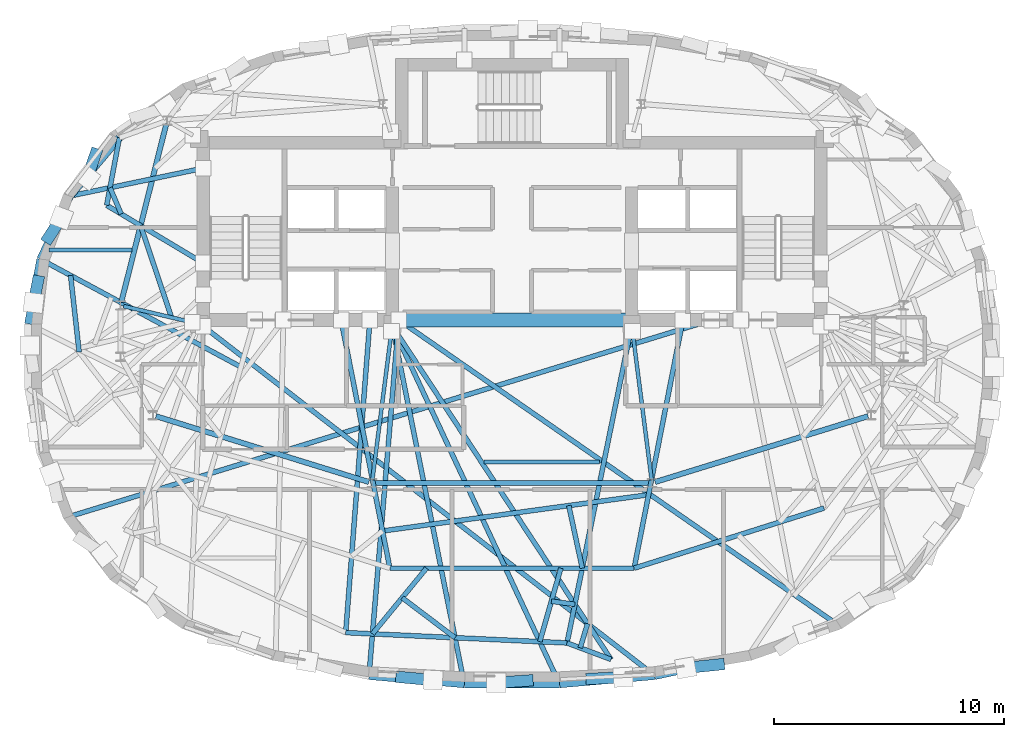
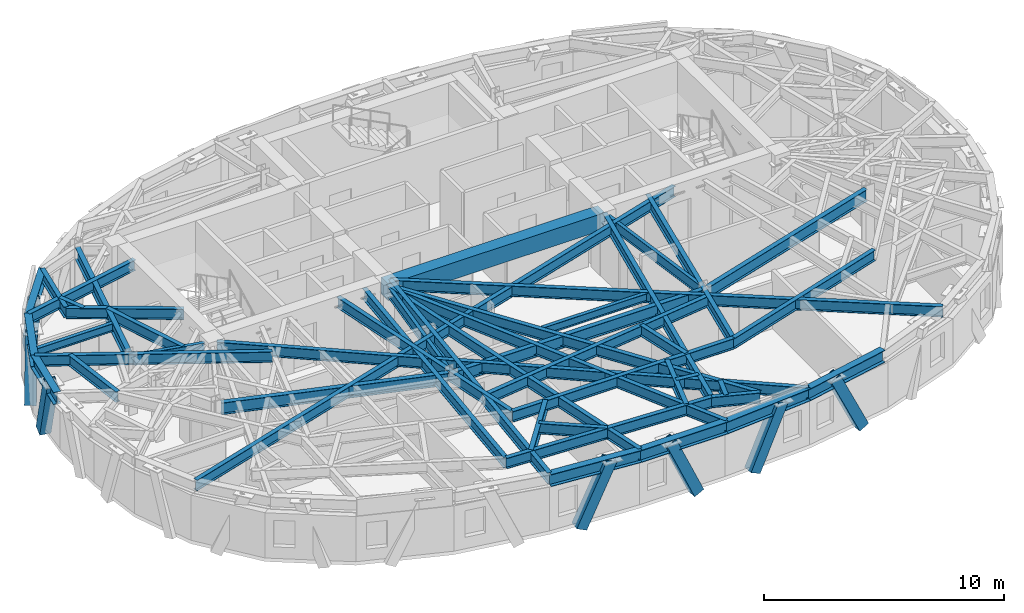
# One storey, part 2 of 12: 46 beams, 7 members.
"""IFC4 building model written with IfcOpenShell, lengths in metres."""

from ifc_helpers import new_model, si_unit, direction, frame, origin, origin_2d, place, context, subcontext, project, spatial, rectangle, hollow_rectangle, i_section, extrude, material, material_profile, profile_set, type_object, element, save


model = new_model("IFC4")

# Units and contexts
model_context = context("Model", 3, precision=1e-05, world=origin(), true_north=direction((0.0, 1.0)))
body_context = subcontext(model_context, "Body", "Model", "MODEL_VIEW")
ifc_project = project(units=[si_unit("LENGTHUNIT", "METRE"), si_unit("AREAUNIT", "SQUARE_METRE"), si_unit("VOLUMEUNIT", "CUBIC_METRE"), si_unit("PLANEANGLEUNIT", "RADIAN"), si_unit("MASSUNIT", "GRAM", prefix="KILO")], contexts=[model_context])

# Site, building, storey
site_placement = place(None, origin())
site = spatial("IfcSite", under=ifc_project, at=site_placement, CompositionType="ELEMENT")
building_placement = place(site_placement, origin())
building = spatial("IfcBuilding", under=site, at=building_placement, Name="Keldmark Tower", CompositionType="ELEMENT")
storey_placement = place(building_placement, frame((0.0, 0.0, 257.25)))
storey = spatial("IfcBuildingStorey", under=building, at=storey_placement, Name="L73", CompositionType="ELEMENT", Elevation=257.25)

# Beams
ifc_material_1 = material(Name="Steel ASTM A992 Grade 50", Category="steel")
ifc_material_profile_1 = material_profile(ifc_material_1, i_section(OverallWidth=0.177978515625, OverallDepth=0.403076171875, WebThickness=0.007568359375, FlangeThickness=0.010986328125, at=origin_2d()), Name="W16X36")
ifc_profile_set_1 = profile_set([ifc_material_profile_1], Name="Steel ASTM A992 Grade 50")
beam_type_1 = type_object("IfcBeamType", Name="Composite Floor Joist W16X36", PredefinedType="JOIST", material=ifc_profile_set_1)
beam_1_placement = place(storey_placement, frame((-1.2119140625, -4.60009765625, 2.728515625), z_axis=(1.0, 0.0, 0.0), x_axis=(0.0, 1.0, 0.0)))
element("IfcBeam", 1, at=beam_1_placement, inside=storey, type_object=beam_type_1, Name="L73 Composite Floor Joist J04", PredefinedType="JOIST", context=body_context, shape_type="SweptSolid", body=[
    extrude(i_section(OverallWidth=0.177978515625, OverallDepth=0.403076171875, WebThickness=0.007568359375, FlangeThickness=0.010986328125, at=origin_2d()), origin(), (0.0, 0.0, 1.0), 5.0078125),
])
beam_2_placement = place(storey_placement, frame((-20.143310546875, 4.6201171875, 2.728515625), z_axis=(1.0, 0.0, 0.0), x_axis=(0.0, 1.0, 0.0)))
element("IfcBeam", 2, at=beam_2_placement, inside=storey, type_object=beam_type_1, Name="L73 Composite Floor Joist J05", PredefinedType="JOIST", context=body_context, shape_type="SweptSolid", body=[
    extrude(i_section(OverallWidth=0.177978515625, OverallDepth=0.403076171875, WebThickness=0.007568359375, FlangeThickness=0.010986328125, at=origin_2d()), origin(), (0.0, 0.0, 1.0), 3.618408203125),
])
ifc_material_2 = material(Name="Concrete C50/60", Category="concrete")
ifc_material_profile_2 = material_profile(ifc_material_2, rectangle(XDim=0.60009765625, YDim=0.85009765625, at=origin_2d()), Name="RCB600X850")
ifc_profile_set_2 = profile_set([ifc_material_profile_2], Name="Concrete C50/60")
beam_type_2 = type_object("IfcBeamType", Name="Core Coupling Beam RCB600X850", PredefinedType="USERDEFINED", material=ifc_profile_set_2)
beam_3_placement = place(storey_placement, frame((-5.199951171875, 1.574951171875, 2.5048828125), z_axis=(1.0, 0.0, 0.0), x_axis=(0.0, 1.0, 0.0)))
element("IfcBeam", 3, at=beam_3_placement, inside=storey, type_object=beam_type_2, Name="L73 Central South Core Coupling Beam", ObjectType="COUPLING BEAM", PredefinedType="USERDEFINED", context=body_context, shape_type="SweptSolid", body=[
    extrude(rectangle(XDim=0.60009765625, YDim=0.85009765625, at=origin_2d()), origin(), (0.0, 0.0, 1.0), 10.39990234375),
])

# Members
ifc_material_3 = material(Name="Steel ASTM A572 Grade 50", Category="steel")
ifc_material_profile_3 = material_profile(ifc_material_3, hollow_rectangle(XDim=0.5, YDim=0.5, WallThickness=0.030029296875, at=origin_2d()), Name="BOX500X500X30")
ifc_profile_set_3 = profile_set([ifc_material_profile_3], Name="Steel ASTM A572 Grade 50")
member_type = type_object("IfcMemberType", Name="Diagrid Upper Brace BOX500X500X30", PredefinedType="BRACE", material=ifc_profile_set_3)
member_1_placement = place(storey_placement, frame((-18.10498046875, 8.800048828125, -0.260009765625), z_axis=(-0.108536723728, -0.315865852065, 0.942575484034), x_axis=(0.945725401367, -0.324966867864, 0.0)))
element("IfcMember", 4, at=member_1_placement, inside=storey, type_object=member_type, Name="L73 Perimeter Diagrid Brace 07A", PredefinedType="BRACE", context=body_context, shape_type="SweptSolid", body=[
    extrude(hollow_rectangle(XDim=0.5, YDim=0.5, WallThickness=0.030029296875, at=origin_2d()), origin(), (0.0, 0.0, 1.0), 3.257080078125),
])
member_2_placement = place(storey_placement, frame((-20.155029296875, 5.146484375, -0.260009765625), z_axis=(0.172667779922, 0.269699237399, 0.947337405111), x_axis=(-0.842185942645, 0.539187201269, 0.0)))
element("IfcMember", 5, at=member_2_placement, inside=storey, type_object=member_type, Name="L73 Perimeter Diagrid Brace 07B", PredefinedType="BRACE", context=body_context, shape_type="SweptSolid", body=[
    extrude(hollow_rectangle(XDim=0.5, YDim=0.5, WallThickness=0.030029296875, at=origin_2d()), origin(), (0.0, 0.0, 1.0), 3.24072265625),
])
member_3_placement = place(storey_placement, frame((-20.613525390625, 3.2666015625, -0.260009765625), z_axis=(-0.057756132791, -0.292954891684, 0.954380249462), x_axis=(0.981114667834, -0.193427010938, 0.0)))
element("IfcMember", 6, at=member_3_placement, inside=storey, type_object=member_type, Name="L73 Perimeter Diagrid Brace 08A", PredefinedType="BRACE", context=body_context, shape_type="SweptSolid", body=[
    extrude(hollow_rectangle(XDim=0.5, YDim=0.5, WallThickness=0.030029296875, at=origin_2d()), origin(), (0.0, 0.0, 1.0), 3.216796875),
])
member_4_placement = place(storey_placement, frame((-4.826416015625, -13.95703125, -0.260009765625), z_axis=(0.412084607892, -0.036994946351, 0.91039422773), x_axis=(0.089415520641, 0.995994409958, 0.0)))
element("IfcMember", 7, at=member_4_placement, inside=storey, type_object=member_type, Name="L73 Perimeter Diagrid Brace 12A", PredefinedType="BRACE", context=body_context, shape_type="SweptSolid", body=[
    extrude(hollow_rectangle(XDim=0.5, YDim=0.5, WallThickness=0.030029296875, at=origin_2d()), origin(), (0.0, 0.0, 1.0), 3.372314453125),
])
member_5_placement = place(storey_placement, frame((0.69189453125, -14.104736328125, -0.260009765625), z_axis=(-0.408950106627, -0.02814342699, 0.912122665987), x_axis=(0.06865634326, -0.997640369337, 0.0)))
element("IfcMember", 8, at=member_5_placement, inside=storey, type_object=member_type, Name="L73 Perimeter Diagrid Brace 12B", PredefinedType="BRACE", context=body_context, shape_type="SweptSolid", body=[
    extrude(hollow_rectangle(XDim=0.5, YDim=0.5, WallThickness=0.030029296875, at=origin_2d()), origin(), (0.0, 0.0, 1.0), 3.365966796875),
])
member_6_placement = place(storey_placement, frame((3.44482421875, -14.02978515625, -0.260009765625), z_axis=(0.411374761638, 0.020869461221, 0.911227343244), x_axis=(-0.050665864044, 0.998715660346, 0.0)))
element("IfcMember", 9, at=member_6_placement, inside=storey, type_object=member_type, Name="L73 Perimeter Diagrid Brace 13A", PredefinedType="BRACE", context=body_context, shape_type="SweptSolid", body=[
    extrude(hollow_rectangle(XDim=0.5, YDim=0.5, WallThickness=0.030029296875, at=origin_2d()), origin(), (0.0, 0.0, 1.0), 3.369140625),
])
member_7_placement = place(storey_placement, frame((9.011474609375, -13.404296875, -0.260009765625), z_axis=(-0.428526406073, -0.043491375327, 0.902481922018), x_axis=(0.100971848205, -0.994889283222, 0.0)))
element("IfcMember", 10, at=member_7_placement, inside=storey, type_object=member_type, Name="L73 Perimeter Diagrid Brace 13B", PredefinedType="BRACE", context=body_context, shape_type="SweptSolid", body=[
    extrude(hollow_rectangle(XDim=0.5, YDim=0.5, WallThickness=0.030029296875, at=origin_2d()), origin(), (0.0, 0.0, 1.0), 3.40185546875),
])

# Beams
ifc_material_4 = material(Name="Steel ASTM A992 Grade 50", Category="steel")
ifc_material_profile_4 = material_profile(ifc_material_4, i_section(OverallWidth=0.22802734375, OverallDepth=0.60302734375, WebThickness=0.010498046875, FlangeThickness=0.014892578125, at=origin_2d()), Name="W24X68")
ifc_profile_set_4 = profile_set([ifc_material_profile_4], Name="Steel ASTM A992 Grade 50")
beam_type_3 = type_object("IfcBeamType", Name="Primary Floor Girder W24X68", PredefinedType="BEAM", material=ifc_profile_set_4)
beam_4_placement = place(storey_placement, frame((-15.030029296875, 10.10791015625, 2.62841796875), z_axis=(-0.244902129455, -0.969547805417, 0.0), x_axis=(0.969547805417, -0.244902129455, 0.0)))
element("IfcBeam", 11, at=beam_4_placement, inside=storey, type_object=beam_type_3, Name="L73 Floor Ring Girder FG-R05", PredefinedType="BEAM", context=body_context, shape_type="SweptSolid", body=[
    extrude(i_section(OverallWidth=0.22802734375, OverallDepth=0.60302734375, WebThickness=0.010498046875, FlangeThickness=0.014892578125, at=origin_2d()), origin(), (0.0, 0.0, 1.0), 8.008056640625),
])
beam_5_placement = place(storey_placement, frame((-15.482421875, -2.60888671875, 2.62841796875), z_axis=(0.955383255089, -0.295368982622, 0.0), x_axis=(0.295368982622, 0.955383255089, 0.0)))
element("IfcBeam", 12, at=beam_5_placement, inside=storey, type_object=beam_type_3, Name="L73 Floor Ring Girder FG-R08", PredefinedType="BEAM", context=body_context, shape_type="SweptSolid", body=[
    extrude(i_section(OverallWidth=0.22802734375, OverallDepth=0.60302734375, WebThickness=0.010498046875, FlangeThickness=0.014892578125, at=origin_2d()), origin(), (0.0, 0.0, 1.0), 9.69140625),
])
beam_6_placement = place(storey_placement, frame((-5.949462890625, -5.512939453125, 2.62841796875), z_axis=(1.0, 0.0, 0.0), x_axis=(0.0, 1.0, 0.0)))
element("IfcBeam", 13, at=beam_6_placement, inside=storey, type_object=beam_type_3, Name="L73 Floor Ring Girder FG-R09", PredefinedType="BEAM", context=body_context, shape_type="SweptSolid", body=[
    extrude(i_section(OverallWidth=0.22802734375, OverallDepth=0.60302734375, WebThickness=0.010498046875, FlangeThickness=0.014892578125, at=origin_2d()), origin(), (0.0, 0.0, 1.0), 11.89892578125),
])
beam_7_placement = place(storey_placement, frame((6.223388671875, -5.471435546875, 2.62841796875), z_axis=(0.955383255089, 0.295368982622, 0.0), x_axis=(-0.295368982622, 0.955383255089, 0.0)))
element("IfcBeam", 14, at=beam_7_placement, inside=storey, type_object=beam_type_3, Name="L73 Floor Ring Girder FG-R10", PredefinedType="BEAM", context=body_context, shape_type="SweptSolid", body=[
    extrude(i_section(OverallWidth=0.22802734375, OverallDepth=0.60302734375, WebThickness=0.010498046875, FlangeThickness=0.014892578125, at=origin_2d()), origin(), (0.0, 0.0, 1.0), 9.69140625),
])
ifc_material_5 = material(Name="Steel ASTM A992 Grade 50", Category="steel")
ifc_material_profile_5 = material_profile(ifc_material_5, i_section(OverallWidth=0.166015625, OverallDepth=0.529052734375, WebThickness=0.009765625, FlangeThickness=0.013671875, at=origin_2d()), Name="W21X50")
ifc_profile_set_5 = profile_set([ifc_material_profile_5], Name="Steel ASTM A992 Grade 50")
beam_type_4 = type_object("IfcBeamType", Name="Radial Tie Girder W21X50", PredefinedType="BEAM", material=ifc_profile_set_5)
beam_8_placement = place(storey_placement, frame((-16.889404296875, 2.17578125, 2.66552734375), z_axis=(0.97329039005, -0.229577474147, 0.0), x_axis=(0.229577474147, 0.97329039005, 0.0)))
element("IfcBeam", 15, at=beam_8_placement, inside=storey, type_object=beam_type_4, Name="L73 Floor Radial Girder FG-C06", PredefinedType="BEAM", context=body_context, shape_type="SweptSolid", body=[
    extrude(i_section(OverallWidth=0.166015625, OverallDepth=0.529052734375, WebThickness=0.009765625, FlangeThickness=0.013671875, at=origin_2d()), origin(), (0.0, 0.0, 1.0), 3.0595703125),
])
for number, where, z_axis, x_axis, name in (
    (16, (-6.071533203125, -5.3740234375, 2.66552734375), (0.127625044513, 0.991822488157, 0.0), (-0.991822488157, 0.127625044513, 0.0), "L73 Floor Radial Girder FG-C09"),
    (17, (6.071533203125, -5.3740234375, 2.66552734375), (-0.127625044513, 0.991822488157, 0.0), (-0.991822488157, -0.127625044513, 0.0), "L73 Floor Radial Girder FG-C10"),
):
    element("IfcBeam", number, at=place(storey_placement, frame(where, z_axis=z_axis, x_axis=x_axis)), inside=storey, type_object=beam_type_4, Name=name, PredefinedType="BEAM", context=body_context, shape_type="SweptSolid", body=[
        extrude(i_section(OverallWidth=0.166015625, OverallDepth=0.529052734375, WebThickness=0.009765625, FlangeThickness=0.013671875, at=origin_2d()), origin(), (0.0, 0.0, 1.0), 6.509765625),
    ])
ifc_material_6 = material(Name="Steel ASTM A992 Grade 50", Category="steel")
ifc_material_profile_6 = material_profile(ifc_material_6, i_section(OverallWidth=0.2099609375, OverallDepth=0.537109375, WebThickness=0.010986328125, FlangeThickness=0.017333984375, at=origin_2d()), Name="W21X68")
ifc_profile_set_6 = profile_set([ifc_material_profile_6], Name="Steel ASTM A992 Grade 50")
beam_type_5 = type_object("IfcBeamType", Name="Radial Tie Girder W21X68", PredefinedType="BEAM", material=ifc_profile_set_6)
beam_9_placement = place(storey_placement, frame((-7.43212890625, 1.574951171875, 2.66162109375), z_axis=(0.192807125006, -0.981236675093, 0.0), x_axis=(0.981236675093, 0.192807125006, 0.0)))
element("IfcBeam", 18, at=beam_9_placement, inside=storey, type_object=beam_type_5, Name="L73 Sub-Ring Step Girder STP1-M09", PredefinedType="BEAM", context=body_context, shape_type="SweptSolid", body=[
    extrude(i_section(OverallWidth=0.2099609375, OverallDepth=0.537109375, WebThickness=0.010986328125, FlangeThickness=0.017333984375, at=origin_2d()), origin(), (0.0, 0.0, 1.0), 10.999755859375),
])
beam_10_placement = place(storey_placement, frame((-5.62939453125, -7.599365234375, 2.66162109375), z_axis=(0.990840217573, 0.135039487709, 0.0), x_axis=(-0.135039487709, 0.990840217573, 0.0)))
element("IfcBeam", 19, at=beam_10_placement, inside=storey, type_object=beam_type_5, Name="L73 Framing Pin Header PH-004", PredefinedType="BEAM", context=body_context, shape_type="SweptSolid", body=[
    extrude(i_section(OverallWidth=0.2099609375, OverallDepth=0.537109375, WebThickness=0.010986328125, FlangeThickness=0.017333984375, at=origin_2d()), origin(), (0.0, 0.0, 1.0), 11.675537109375),
])
beam_11_placement = place(storey_placement, frame((7.43212890625, 1.574951171875, 2.66162109375), z_axis=(-0.192807125006, -0.981236675093, 0.0), x_axis=(0.981236675093, -0.192807125006, 0.0)))
element("IfcBeam", 20, at=beam_11_placement, inside=storey, type_object=beam_type_5, Name="L73 Sub-Ring Step Girder STP1-M10", PredefinedType="BEAM", context=body_context, shape_type="SweptSolid", body=[
    extrude(i_section(OverallWidth=0.2099609375, OverallDepth=0.537109375, WebThickness=0.010986328125, FlangeThickness=0.017333984375, at=origin_2d()), origin(), (0.0, 0.0, 1.0), 10.999755859375),
])
beam_12_placement = place(storey_placement, frame((-5.311279296875, -9.218505859375, 2.66162109375), z_axis=(1.0, 0.0, 0.0), x_axis=(0.0, 1.0, 0.0)))
element("IfcBeam", 21, at=beam_12_placement, inside=storey, type_object=beam_type_5, Name="L73 Perimeter Collector Ring Beam CRG1-M09", PredefinedType="BEAM", context=body_context, shape_type="SweptSolid", body=[
    extrude(i_section(OverallWidth=0.2099609375, OverallDepth=0.537109375, WebThickness=0.010986328125, FlangeThickness=0.017333984375, at=origin_2d()), origin(), (0.0, 0.0, 1.0), 10.62255859375),
])
beam_13_placement = place(storey_placement, frame((5.311279296875, -9.218505859375, 2.66162109375), z_axis=(0.953292438313, 0.302048881898, 0.0), x_axis=(-0.302048881898, 0.953292438313, 0.0)))
element("IfcBeam", 22, at=beam_13_placement, inside=storey, type_object=beam_type_5, Name="L73 Perimeter Collector Ring Beam CRG1-M10", PredefinedType="BEAM", context=body_context, shape_type="SweptSolid", body=[
    extrude(i_section(OverallWidth=0.2099609375, OverallDepth=0.537109375, WebThickness=0.010986328125, FlangeThickness=0.017333984375, at=origin_2d()), origin(), (0.0, 0.0, 1.0), 8.658203125),
])
beam_14_placement = place(storey_placement, frame((-6.1787109375, 1.574951171875, 2.66162109375), z_axis=(-0.077226385278, -0.997013583366, 0.0), x_axis=(0.997013583366, -0.077226385278, 0.0)))
element("IfcBeam", 23, at=beam_14_placement, inside=storey, type_object=beam_type_5, Name="L73 Sub-Ring Step Girder STP2-M09", PredefinedType="BEAM", context=body_context, shape_type="SweptSolid", body=[
    extrude(i_section(OverallWidth=0.2099609375, OverallDepth=0.537109375, WebThickness=0.010986328125, FlangeThickness=0.017333984375, at=origin_2d()), origin(), (0.0, 0.0, 1.0), 13.635009765625),
])
beam_15_placement = place(storey_placement, frame((2.468505859375, -6.49560546875, 2.66162109375), z_axis=(0.210708135745, -0.977549017457, 0.0), x_axis=(0.977549017457, 0.210708135745, 0.0)))
element("IfcBeam", 24, at=beam_15_placement, inside=storey, type_object=beam_type_5, Name="L73 Framing Pin Header PH-009", PredefinedType="BEAM", context=body_context, shape_type="SweptSolid", body=[
    extrude(i_section(OverallWidth=0.2099609375, OverallDepth=0.537109375, WebThickness=0.010986328125, FlangeThickness=0.017333984375, at=origin_2d()), origin(), (0.0, 0.0, 1.0), 2.785400390625),
])
beam_16_placement = place(storey_placement, frame((5.199951171875, 1.300048828125, 2.66162109375), z_axis=(-0.199770064626, -0.979842804372, 0.0), x_axis=(0.979842804372, -0.199770064626, 0.0)))
element("IfcBeam", 25, at=beam_16_placement, inside=storey, type_object=beam_type_5, Name="L73 Sub-Ring Step Girder STP2-M10", PredefinedType="BEAM", context=body_context, shape_type="SweptSolid", body=[
    extrude(i_section(OverallWidth=0.2099609375, OverallDepth=0.537109375, WebThickness=0.010986328125, FlangeThickness=0.017333984375, at=origin_2d()), origin(), (0.0, 0.0, 1.0), 14.0517578125),
])
beam_17_placement = place(storey_placement, frame((-7.231689453125, -12.019287109375, 2.66162109375), z_axis=(0.998912524537, -0.046623688426, 0.0), x_axis=(0.046623688426, 0.998912524537, 0.0)))
element("IfcBeam", 26, at=beam_17_placement, inside=storey, type_object=beam_type_5, Name="L73 Perimeter Collector Ring Beam CRG2-M09", PredefinedType="BEAM", context=body_context, shape_type="SweptSolid", body=[
    extrude(i_section(OverallWidth=0.2099609375, OverallDepth=0.537109375, WebThickness=0.010986328125, FlangeThickness=0.017333984375, at=origin_2d()), origin(), (0.0, 0.0, 1.0), 9.635009765625),
])
beam_18_placement = place(storey_placement, frame((-14.8046875, 1.68408203125, 2.66162109375), z_axis=(-0.318850338656, 0.947805075708, 0.0), x_axis=(-0.947805075708, -0.318850338656, 0.0)))
element("IfcBeam", 27, at=beam_18_placement, inside=storey, type_object=beam_type_5, Name="L73 Framing Pin Header PH-016", PredefinedType="BEAM", context=body_context, shape_type="SweptSolid", body=[
    extrude(i_section(OverallWidth=0.2099609375, OverallDepth=0.537109375, WebThickness=0.010986328125, FlangeThickness=0.017333984375, at=origin_2d()), origin(), (0.0, 0.0, 1.0), 4.215087890625),
])
beam_19_placement = place(storey_placement, frame((-13.425048828125, 4.050048828125, 2.66162109375), z_axis=(-0.858209670576, 0.513299290209, 0.0), x_axis=(-0.513299290209, -0.858209670576, 0.0)))
element("IfcBeam", 28, at=beam_19_placement, inside=storey, type_object=beam_type_5, Name="L73 Intermediate Radial Step Girder RT-14M", PredefinedType="BEAM", context=body_context, shape_type="SweptSolid", body=[
    extrude(i_section(OverallWidth=0.2099609375, OverallDepth=0.537109375, WebThickness=0.010986328125, FlangeThickness=0.017333984375, at=origin_2d()), origin(), (0.0, 0.0, 1.0), 4.893310546875),
])
beam_20_placement = place(storey_placement, frame((-17.07177734375, 9.498046875, 2.66162109375), z_axis=(-0.184993978313, -0.982739654226, 0.0), x_axis=(0.982739654226, -0.184993978313, 0.0)))
element("IfcBeam", 29, at=beam_20_placement, inside=storey, type_object=beam_type_5, Name="L73 Local Collector Chord RT-14C", PredefinedType="BEAM", context=body_context, shape_type="SweptSolid", body=[
    extrude(i_section(OverallWidth=0.2099609375, OverallDepth=0.537109375, WebThickness=0.010986328125, FlangeThickness=0.017333984375, at=origin_2d()), origin(), (0.0, 0.0, 1.0), 2.98779296875),
])
beam_21_placement = place(storey_placement, frame((-16.99462890625, 6.18505859375, 2.66162109375), z_axis=(-0.390857664628, 0.920451131784, 0.0), x_axis=(-0.920451131784, -0.390857664628, 0.0)))
element("IfcBeam", 30, at=beam_21_placement, inside=storey, type_object=beam_type_5, Name="L73 Framing Pin Header PH-017", PredefinedType="BEAM", context=body_context, shape_type="SweptSolid", body=[
    extrude(i_section(OverallWidth=0.2099609375, OverallDepth=0.537109375, WebThickness=0.010986328125, FlangeThickness=0.017333984375, at=origin_2d()), origin(), (0.0, 0.0, 1.0), 1.242431640625),
])
beam_22_placement = place(storey_placement, frame((-13.425048828125, 8.175048828125, 2.66162109375), z_axis=(-0.978900077771, -0.204339515855, 0.0), x_axis=(0.204339515855, -0.978900077771, 0.0)))
element("IfcBeam", 31, at=beam_22_placement, inside=storey, type_object=beam_type_5, Name="L73 Perimeter Radial Tie Girder RT-14", PredefinedType="BEAM", context=body_context, shape_type="SweptSolid", body=[
    extrude(i_section(OverallWidth=0.2099609375, OverallDepth=0.537109375, WebThickness=0.010986328125, FlangeThickness=0.017333984375, at=origin_2d()), origin(), (0.0, 0.0, 1.0), 5.92138671875),
])
beam_23_placement = place(storey_placement, frame((-11.785888671875, -0.469482421875, 2.66162109375), z_axis=(-0.88079726113, 0.473493595296, 0.0), x_axis=(-0.473493595296, -0.88079726113, 0.0)))
element("IfcBeam", 32, at=beam_23_placement, inside=storey, type_object=beam_type_5, Name="L73 Perimeter Radial Tie Girder RT-15", PredefinedType="BEAM", context=body_context, shape_type="SweptSolid", body=[
    extrude(i_section(OverallWidth=0.2099609375, OverallDepth=0.537109375, WebThickness=0.010986328125, FlangeThickness=0.017333984375, at=origin_2d()), origin(), (0.0, 0.0, 1.0), 9.896240234375),
])
beam_24_placement = place(storey_placement, frame((-19.195068359375, 3.513427734375, 2.66162109375), z_axis=(0.111486456696, -0.993765953318, 0.0), x_axis=(0.993765953318, 0.111486456696, 0.0)))
element("IfcBeam", 33, at=beam_24_placement, inside=storey, type_object=beam_type_5, Name="L73 Framing Pin Header PH-019", PredefinedType="BEAM", context=body_context, shape_type="SweptSolid", body=[
    extrude(i_section(OverallWidth=0.2099609375, OverallDepth=0.537109375, WebThickness=0.010986328125, FlangeThickness=0.017333984375, at=origin_2d()), origin(), (0.0, 0.0, 1.0), 3.352783203125),
])
beam_25_placement = place(storey_placement, frame((8.685791015625, 1.574951171875, 2.66162109375), z_axis=(-0.956228621265, -0.292620614234, 0.0), x_axis=(0.292620614234, -0.956228621265, 0.0)))
element("IfcBeam", 34, at=beam_25_placement, inside=storey, type_object=beam_type_5, Name="L73 Perimeter Radial Tie Girder RT-19", PredefinedType="BEAM", context=body_context, shape_type="SweptSolid", body=[
    extrude(i_section(OverallWidth=0.2099609375, OverallDepth=0.537109375, WebThickness=0.010986328125, FlangeThickness=0.017333984375, at=origin_2d()), origin(), (0.0, 0.0, 1.0), 29.1845703125),
])
beam_26_placement = place(storey_placement, frame((-3.718017578125, -9.218505859375, 2.66162109375), z_axis=(-0.63529976203, -0.772265635882, 0.0), x_axis=(0.772265635882, -0.63529976203, 0.0)))
element("IfcBeam", 35, at=beam_26_placement, inside=storey, type_object=beam_type_5, Name="L73 Framing Pin Header PH-026", PredefinedType="BEAM", context=body_context, shape_type="SweptSolid", body=[
    extrude(i_section(OverallWidth=0.2099609375, OverallDepth=0.537109375, WebThickness=0.010986328125, FlangeThickness=0.017333984375, at=origin_2d()), origin(), (0.0, 0.0, 1.0), 3.69677734375),
])
beam_27_placement = place(storey_placement, frame((-4.925048828125, 1.574951171875, 2.66162109375), z_axis=(-0.08336035816, -0.996519468293, 0.0), x_axis=(0.996519468293, -0.08336035816, 0.0)))
element("IfcBeam", 36, at=beam_27_placement, inside=storey, type_object=beam_type_5, Name="L73 Perimeter Radial Tie Girder RT-23", PredefinedType="BEAM", context=body_context, shape_type="SweptSolid", body=[
    extrude(i_section(OverallWidth=0.2099609375, OverallDepth=0.537109375, WebThickness=0.010986328125, FlangeThickness=0.017333984375, at=origin_2d()), origin(), (0.0, 0.0, 1.0), 15.528076171875),
])
beam_28_placement = place(storey_placement, frame((-4.77490234375, -10.503173828125, 2.66162109375), z_axis=(0.797522091426, -0.603289742733, 0.0), x_axis=(0.603289742733, 0.797522091426, 0.0)))
element("IfcBeam", 37, at=beam_28_placement, inside=storey, type_object=beam_type_5, Name="L73 Framing Pin Header PH-027", PredefinedType="BEAM", context=body_context, shape_type="SweptSolid", body=[
    extrude(i_section(OverallWidth=0.2099609375, OverallDepth=0.537109375, WebThickness=0.010986328125, FlangeThickness=0.017333984375, at=origin_2d()), origin(), (0.0, 0.0, 1.0), 2.880859375),
])
beam_29_placement = place(storey_placement, frame((-5.199951171875, 1.300048828125, 2.66162109375), z_axis=(0.19711889159, -0.980379591066, 0.0), x_axis=(0.980379591066, 0.19711889159, 0.0)))
element("IfcBeam", 38, at=beam_29_placement, inside=storey, type_object=beam_type_5, Name="L73 Perimeter Radial Tie Girder RT-24", PredefinedType="BEAM", context=body_context, shape_type="SweptSolid", body=[
    extrude(i_section(OverallWidth=0.2099609375, OverallDepth=0.537109375, WebThickness=0.010986328125, FlangeThickness=0.017333984375, at=origin_2d()), origin(), (0.0, 0.0, 1.0), 15.87060546875),
])
beam_30_placement = place(storey_placement, frame((2.12451171875, -9.218505859375, 2.66162109375), z_axis=(-0.275565170196, -0.961282391899, 0.0), x_axis=(0.961282391899, -0.275565170196, 0.0)))
element("IfcBeam", 39, at=beam_30_placement, inside=storey, type_object=beam_type_5, Name="L73 Framing Pin Header PH-028", PredefinedType="BEAM", context=body_context, shape_type="SweptSolid", body=[
    extrude(i_section(OverallWidth=0.2099609375, OverallDepth=0.537109375, WebThickness=0.010986328125, FlangeThickness=0.017333984375, at=origin_2d()), origin(), (0.0, 0.0, 1.0), 3.3232421875),
])
beam_31_placement = place(storey_placement, frame((-5.199951171875, 1.300048828125, 2.66162109375), z_axis=(0.423385786594, -0.905949488498, 0.0), x_axis=(0.905949488498, 0.423385786594, 0.0)))
element("IfcBeam", 40, at=beam_31_placement, inside=storey, type_object=beam_type_5, Name="L73 Perimeter Radial Tie Girder RT-25", PredefinedType="BEAM", context=body_context, shape_type="SweptSolid", body=[
    extrude(i_section(OverallWidth=0.2099609375, OverallDepth=0.537109375, WebThickness=0.010986328125, FlangeThickness=0.017333984375, at=origin_2d()), origin(), (0.0, 0.0, 1.0), 17.174560546875),
])
beam_32_placement = place(storey_placement, frame((1.71240234375, -10.656005859375, 2.66162109375), z_axis=(0.991521033227, -0.129946299174, 0.0), x_axis=(0.129946299174, 0.991521033227, 0.0)))
element("IfcBeam", 41, at=beam_32_placement, inside=storey, type_object=beam_type_5, Name="L73 Framing Pin Header PH-029", PredefinedType="BEAM", context=body_context, shape_type="SweptSolid", body=[
    extrude(i_section(OverallWidth=0.2099609375, OverallDepth=0.537109375, WebThickness=0.010986328125, FlangeThickness=0.017333984375, at=origin_2d()), origin(), (0.0, 0.0, 1.0), 1.031494140625),
])
beam_33_placement = place(storey_placement, frame((-5.199951171875, 1.300048828125, 2.66162109375), z_axis=(0.548698918681, -0.836020033635, 0.0), x_axis=(0.836020033635, 0.548698918681, 0.0)))
element("IfcBeam", 42, at=beam_33_placement, inside=storey, type_object=beam_type_5, Name="L73 Intermediate Radial Step Girder RT-26M", PredefinedType="BEAM", context=body_context, shape_type="SweptSolid", body=[
    extrude(i_section(OverallWidth=0.2099609375, OverallDepth=0.537109375, WebThickness=0.010986328125, FlangeThickness=0.017333984375, at=origin_2d()), origin(), (0.0, 0.0, 1.0), 17.32470703125),
])
beam_34_placement = place(storey_placement, frame((2.392822265625, -12.468505859375, 2.66162109375), z_axis=(0.936677451894, -0.350193305353, 0.0), x_axis=(0.350193305353, 0.936677451894, 0.0)))
element("IfcBeam", 43, at=beam_34_placement, inside=storey, type_object=beam_type_5, Name="L73 Local Collector Chord RT-26C", PredefinedType="BEAM", context=body_context, shape_type="SweptSolid", body=[
    extrude(i_section(OverallWidth=0.2099609375, OverallDepth=0.537109375, WebThickness=0.010986328125, FlangeThickness=0.017333984375, at=origin_2d()), origin(), (0.0, 0.0, 1.0), 2.042724609375),
])
beam_35_placement = place(storey_placement, frame((2.966796875, -12.68310546875, 2.66162109375), z_axis=(0.290155154885, 0.956979616342, 0.0), x_axis=(-0.956979616342, 0.290155154885, 0.0)))
element("IfcBeam", 44, at=beam_35_placement, inside=storey, type_object=beam_type_5, Name="L73 Framing Pin Header PH-030", PredefinedType="BEAM", context=body_context, shape_type="SweptSolid", body=[
    extrude(i_section(OverallWidth=0.2099609375, OverallDepth=0.537109375, WebThickness=0.010986328125, FlangeThickness=0.017333984375, at=origin_2d()), origin(), (0.0, 0.0, 1.0), 1.1005859375),
])
beam_36_placement = place(storey_placement, frame((-13.425048828125, 1.300048828125, 2.66162109375), z_axis=(0.790907852005, -0.611935265888, 0.0), x_axis=(0.611935265888, 0.790907852005, 0.0)))
element("IfcBeam", 45, at=beam_36_placement, inside=storey, type_object=beam_type_5, Name="L73 Perimeter Radial Tie Girder RT-26", PredefinedType="BEAM", context=body_context, shape_type="SweptSolid", body=[
    extrude(i_section(OverallWidth=0.2099609375, OverallDepth=0.537109375, WebThickness=0.010986328125, FlangeThickness=0.017333984375, at=origin_2d()), origin(), (0.0, 0.0, 1.0), 24.837890625),
])
beam_37_placement = place(storey_placement, frame((-4.925048828125, 1.574951171875, 2.66162109375), z_axis=(0.821400286131, -0.570352145559, 0.0), x_axis=(0.570352145559, 0.821400286131, 0.0)))
element("IfcBeam", 46, at=beam_37_placement, inside=storey, type_object=beam_type_5, Name="L73 Perimeter Radial Tie Girder RT-28", PredefinedType="BEAM", context=body_context, shape_type="SweptSolid", body=[
    extrude(i_section(OverallWidth=0.2099609375, OverallDepth=0.537109375, WebThickness=0.010986328125, FlangeThickness=0.017333984375, at=origin_2d()), origin(), (0.0, 0.0, 1.0), 23.052734375),
])
ifc_material_7 = material(Name="Steel ASTM A992 Grade 50", Category="steel")
ifc_material_profile_7 = material_profile(ifc_material_7, i_section(OverallWidth=0.326904296875, OverallDepth=0.6220703125, WebThickness=0.015380859375, FlangeThickness=0.0244140625, at=origin_2d()), Name="W24X131")
ifc_profile_set_7 = profile_set([ifc_material_profile_7], Name="Steel ASTM A992 Grade 50")
beam_type_6 = type_object("IfcBeamType", Name="Spandrel Ring Beam W24X131", PredefinedType="SPANDREL", material=ifc_profile_set_7)
beam_38_placement = place(storey_placement, frame((-17.07177734375, 9.498046875, 2.618896484375), z_axis=(-0.647061604266, -0.762437722233, 0.0), x_axis=(0.762437722233, -0.647061604266, 0.0)))
element("IfcBeam", 47, at=beam_38_placement, inside=storey, type_object=beam_type_6, Name="L73 Perimeter Spandrel Ring Beam SRB-13", PredefinedType="SPANDREL", context=body_context, shape_type="SweptSolid", body=[
    extrude(i_section(OverallWidth=0.326904296875, OverallDepth=0.6220703125, WebThickness=0.015380859375, FlangeThickness=0.0244140625, at=origin_2d()), origin(), (0.0, 0.0, 1.0), 3.322265625),
])
beam_39_placement = place(storey_placement, frame((-19.221435546875, 6.965087890625, 2.618896484375), z_axis=(-0.422409428873, -0.906405138114, 0.0), x_axis=(0.906405138114, -0.422409428873, 0.0)))
element("IfcBeam", 48, at=beam_39_placement, inside=storey, type_object=beam_type_6, Name="L73 Perimeter Spandrel Ring Beam SRB-14", PredefinedType="SPANDREL", context=body_context, shape_type="SweptSolid", body=[
    extrude(i_section(OverallWidth=0.326904296875, OverallDepth=0.6220703125, WebThickness=0.015380859375, FlangeThickness=0.0244140625, at=origin_2d()), origin(), (0.0, 0.0, 1.0), 3.03271484375),
])
beam_40_placement = place(storey_placement, frame((-20.50244140625, 4.21630859375, 2.618896484375), z_axis=(-0.185637893188, -0.982618223224, 0.0), x_axis=(0.982618223224, -0.185637893188, 0.0)))
element("IfcBeam", 49, at=beam_40_placement, inside=storey, type_object=beam_type_6, Name="L73 Perimeter Spandrel Ring Beam SRB-15", PredefinedType="SPANDREL", context=body_context, shape_type="SweptSolid", body=[
    extrude(i_section(OverallWidth=0.326904296875, OverallDepth=0.6220703125, WebThickness=0.015380859375, FlangeThickness=0.0244140625, at=origin_2d()), origin(), (0.0, 0.0, 1.0), 2.86181640625),
])
beam_41_placement = place(storey_placement, frame((-6.219482421875, -13.899169921875, 2.618896484375), z_axis=(0.996252680042, -0.086490447502, 0.0), x_axis=(0.086490447502, 0.996252680042, 0.0)))
element("IfcBeam", 50, at=beam_41_placement, inside=storey, type_object=beam_type_6, Name="L73 Perimeter Spandrel Ring Beam SRB-23", PredefinedType="SPANDREL", context=body_context, shape_type="SweptSolid", body=[
    extrude(i_section(OverallWidth=0.326904296875, OverallDepth=0.6220703125, WebThickness=0.015380859375, FlangeThickness=0.0244140625, at=origin_2d()), origin(), (0.0, 0.0, 1.0), 4.16357421875),
])
beam_42_placement = place(storey_placement, frame((-2.071533203125, -14.25927734375, 2.618896484375), z_axis=(1.0, 0.0, 0.0), x_axis=(0.0, 1.0, 0.0)))
element("IfcBeam", 51, at=beam_42_placement, inside=storey, type_object=beam_type_6, Name="L73 Perimeter Spandrel Ring Beam SRB-24", PredefinedType="SPANDREL", context=body_context, shape_type="SweptSolid", body=[
    extrude(i_section(OverallWidth=0.326904296875, OverallDepth=0.6220703125, WebThickness=0.015380859375, FlangeThickness=0.0244140625, at=origin_2d()), origin(), (0.0, 0.0, 1.0), 4.14306640625),
])
beam_43_placement = place(storey_placement, frame((2.071533203125, -14.25927734375, 2.618896484375), z_axis=(0.996252680042, 0.086490447502, 0.0), x_axis=(-0.086490447502, 0.996252680042, 0.0)))
element("IfcBeam", 52, at=beam_43_placement, inside=storey, type_object=beam_type_6, Name="L73 Perimeter Spandrel Ring Beam SRB-25", PredefinedType="SPANDREL", context=body_context, shape_type="SweptSolid", body=[
    extrude(i_section(OverallWidth=0.326904296875, OverallDepth=0.6220703125, WebThickness=0.015380859375, FlangeThickness=0.0244140625, at=origin_2d()), origin(), (0.0, 0.0, 1.0), 4.16357421875),
])
beam_44_placement = place(storey_placement, frame((6.219482421875, -13.899169921875, 2.618896484375), z_axis=(0.977824810368, 0.209424545429, 0.0), x_axis=(-0.209424545429, 0.977824810368, 0.0)))
element("IfcBeam", 53, at=beam_44_placement, inside=storey, type_object=beam_type_6, Name="L73 Perimeter Spandrel Ring Beam SRB-26", PredefinedType="SPANDREL", context=body_context, shape_type="SweptSolid", body=[
    extrude(i_section(OverallWidth=0.326904296875, OverallDepth=0.6220703125, WebThickness=0.015380859375, FlangeThickness=0.0244140625, at=origin_2d()), origin(), (0.0, 0.0, 1.0), 4.146728515625),
])

save(model, "model.ifc")
